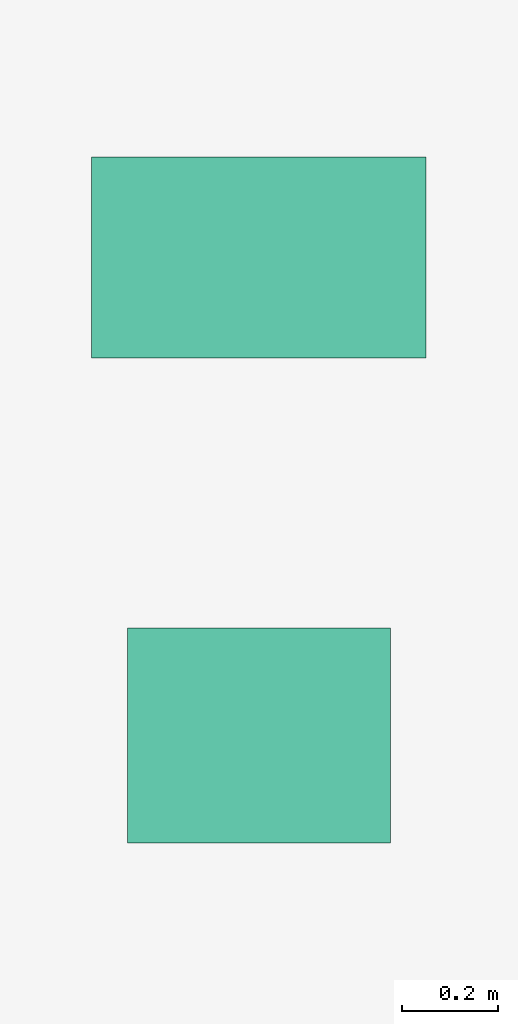
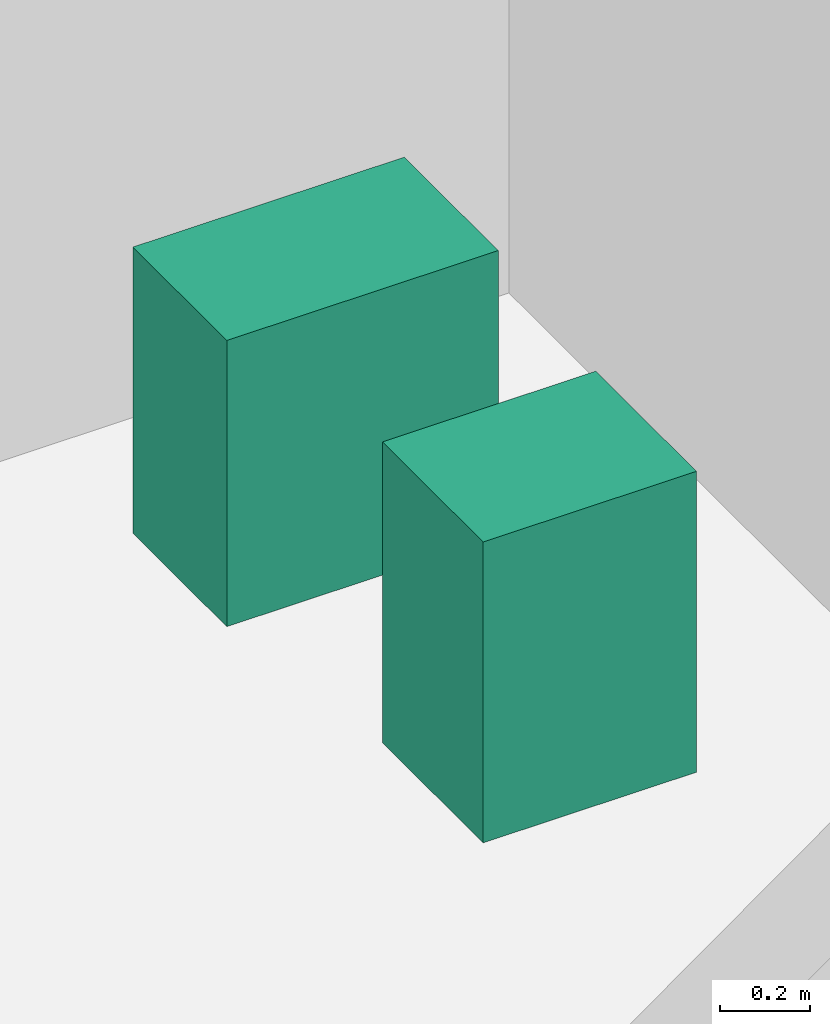
# One storey, part 34 of 34: 2 sanitary terminals.
"""IFC4 building model written with IfcOpenShell, lengths in metres."""

from ifc_helpers import new_model, si_unit, direction, frame, origin, origin_2d, place, context, subcontext, project, spatial, rectangle, extrude, source, transform, mapped, material, type_object, element, save


model = new_model("IFC4")

# Units and contexts
model_context = context("Model", 3, precision=1e-05, world=origin(), true_north=direction((0.0, 1.0)))
body_context = subcontext(model_context, "Body", "Model", "MODEL_VIEW")
ifc_project = project(units=[si_unit("LENGTHUNIT", "METRE"), si_unit("AREAUNIT", "SQUARE_METRE"), si_unit("VOLUMEUNIT", "CUBIC_METRE"), si_unit("PLANEANGLEUNIT", "RADIAN"), si_unit("MASSUNIT", "GRAM", prefix="KILO")], contexts=[model_context])

# Site, building, storey
site_placement = place(None, origin())
site = spatial("IfcSite", under=ifc_project, at=site_placement, CompositionType="ELEMENT")
building_placement = place(site_placement, origin())
building = spatial("IfcBuilding", under=site, at=building_placement, Name="Sumidabori Civic Tower", CompositionType="ELEMENT")
storey_placement = place(building_placement, frame((0.0, 0.0, 56.0)))
storey = spatial("IfcBuildingStorey", under=building, at=storey_placement, Name="L14", CompositionType="ELEMENT", Elevation=56.0)

# Sanitary terminals
ifc_material = material(Name="Vitreous Sanitary Porcelain")
sanitary_terminal_type_1 = type_object("IfcSanitaryTerminalType", Name="SN-WC-1", PredefinedType="TOILETPAN", material=ifc_material)
shared_shape_1 = source(origin(), body_context, "Body", "SweptSolid", [
    extrude(rectangle(XDim=0.699951171875, YDim=0.419921875, at=origin_2d()), origin(), (0.0, 0.0, 1.0), 0.780029296875),
])
sanitary_terminal_1_placement = place(storey_placement, frame((10.800048828125, 21.85009765625, 0.0), z_axis=(0.0, 0.0, 1.0), x_axis=(1.0, 0.0, 0.0)))
element("IfcSanitaryTerminal", 1, at=sanitary_terminal_1_placement, inside=storey, type_object=sanitary_terminal_type_1, Name="Accessible WC Pan L14", PredefinedType="TOILETPAN", context=body_context, shape_type="MappedRepresentation", body=[
    mapped(shared_shape_1, transform((0.0, 0.0, 0.0), x_axis=(1.0, 0.0, 0.0), y_axis=(0.0, 1.0, 0.0), z_axis=(0.0, 0.0, 1.0), scale=1.0)),
])
sanitary_terminal_type_2 = type_object("IfcSanitaryTerminalType", Name="SN-BAS-1", PredefinedType="WASHHANDBASIN", material=ifc_material)
shared_shape_2 = source(origin(), body_context, "Body", "SweptSolid", [
    extrude(rectangle(XDim=0.550048828125, YDim=0.449951171875, at=origin_2d()), origin(), (0.0, 0.0, 1.0), 0.820068359375),
])
sanitary_terminal_2_placement = place(storey_placement, frame((10.800048828125, 20.85009765625, 0.0), z_axis=(0.0, 0.0, 1.0), x_axis=(1.0, 0.0, 0.0)))
element("IfcSanitaryTerminal", 2, at=sanitary_terminal_2_placement, inside=storey, type_object=sanitary_terminal_type_2, Name="Accessible Basin L14", PredefinedType="WASHHANDBASIN", context=body_context, shape_type="MappedRepresentation", body=[
    mapped(shared_shape_2, transform((0.0, 0.0, 0.0), x_axis=(1.0, 0.0, 0.0), y_axis=(0.0, 1.0, 0.0), z_axis=(0.0, 0.0, 1.0), scale=1.0)),
])

save(model, "model.ifc")
